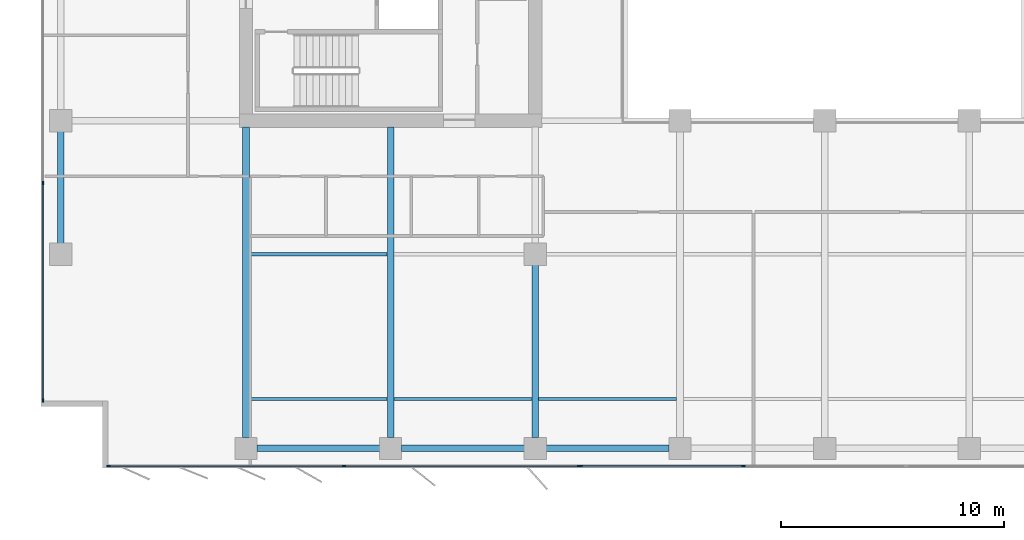
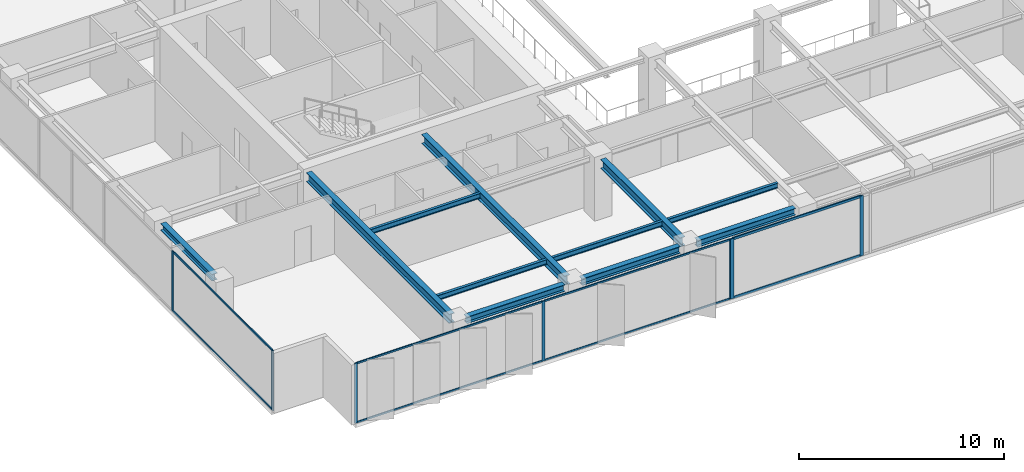
# One storey, part 2 of 22: 15 members, 11 beams, 3 elements without a shape of their own.
"""IFC4 building model written with IfcOpenShell, lengths in metres."""

from ifc_helpers import new_model, si_unit, direction, frame, origin, origin_2d, place, context, subcontext, project, spatial, rectangle, i_section, extrude, material, layer, layer_set, material_profile, profile_set, type_object, element, aggregate, save


model = new_model("IFC4")

# Units and contexts
model_context = context("Model", 3, precision=1e-05, world=origin(), true_north=direction((0.0, 1.0)))
body_context = subcontext(model_context, "Body", "Model", "MODEL_VIEW")
ifc_project = project(units=[si_unit("LENGTHUNIT", "METRE"), si_unit("AREAUNIT", "SQUARE_METRE"), si_unit("VOLUMEUNIT", "CUBIC_METRE"), si_unit("PLANEANGLEUNIT", "RADIAN"), si_unit("MASSUNIT", "GRAM", prefix="KILO")], contexts=[model_context])

# Site, building, storey
site_placement = place(None, origin())
site = spatial("IfcSite", under=ifc_project, at=site_placement, CompositionType="ELEMENT")
building_placement = place(site_placement, origin())
building = spatial("IfcBuilding", under=site, at=building_placement, Name="Putna Gate Headquarters", CompositionType="ELEMENT")
storey_placement = place(building_placement, frame((0.0, 0.0, 151.800048828125)))
storey = spatial("IfcBuildingStorey", under=building, at=storey_placement, Name="L37", CompositionType="ELEMENT", Elevation=151.800048828125)

# Beams
ifc_material_1 = material(Name="Steel S355J2", Category="steel")
ifc_material_profile_1 = material_profile(ifc_material_1, i_section(OverallWidth=0.300048828125, OverallDepth=0.550048828125, WebThickness=0.014892578125, FlangeThickness=0.029052734375, at=origin_2d()), Name="Steel S355J2")
ifc_profile_set_1 = profile_set([ifc_material_profile_1], Name="Steel S355J2")
beam_type_1 = type_object("IfcBeamType", Name="BM-GIRD-Z3-HEB550", PredefinedType="USERDEFINED", material=ifc_profile_set_1)
for number, where, z_axis, x_axis, name in (
    (1, (13.0, 4.76806640625, 3.296875), (0.0, 1.0, 0.0), (-1.0, 0.0, 0.0), "L37 South Primary Girder X13"),
    (2, (19.5, 4.76806640625, 3.296875), (0.0, 1.0, 0.0), (-1.0, 0.0, 0.0), "L37 South Primary Girder X19"),
):
    element("IfcBeam", number, at=place(storey_placement, frame(where, z_axis=z_axis, x_axis=x_axis)), inside=storey, type_object=beam_type_1, Name=name, ObjectType="GIRDER", PredefinedType="USERDEFINED", context=body_context, shape_type="SweptSolid", body=[
        extrude(i_section(OverallWidth=0.300048828125, OverallDepth=0.550048828125, WebThickness=0.014892578125, FlangeThickness=0.029052734375, at=origin_2d()), origin(), (0.0, 0.0, 1.0), 13.947021484375),
    ])
beam_1_placement = place(storey_placement, frame((26.0, 4.76806640625, 3.296875), z_axis=(0.0, 1.0, 0.0), x_axis=(-1.0, 0.0, 0.0)))
element("IfcBeam", 3, at=beam_1_placement, inside=storey, type_object=beam_type_1, Name="L37 South Primary Girder X26-1", ObjectType="GIRDER", PredefinedType="USERDEFINED", context=body_context, shape_type="SweptSolid", body=[
    extrude(i_section(OverallWidth=0.300048828125, OverallDepth=0.550048828125, WebThickness=0.014892578125, FlangeThickness=0.029052734375, at=origin_2d()), origin(), (0.0, 0.0, 1.0), 7.743896484375),
])
ifc_material_profile_2 = material_profile(ifc_material_1, i_section(OverallWidth=0.14990234375, OverallDepth=0.300048828125, WebThickness=0.007080078125, FlangeThickness=0.0107421875, at=origin_2d()), Name="Steel S355J2")
ifc_profile_set_2 = profile_set([ifc_material_profile_2], Name="Steel S355J2")
beam_type_2 = type_object("IfcBeamType", Name="BM-SEC-Z3-IPE300", PredefinedType="JOIST", material=ifc_profile_set_2)
for number, where, z_axis, x_axis, name in (
    (4, (13.154052734375, 6.5, 3.421875), (1.0, 0.0, 0.0), (0.0, 1.0, 0.0), "L37 South Secondary Beam 1"),
    (5, (13.154052734375, 13.0, 3.421875), (1.0, 0.0, 0.0), (0.0, 1.0, 0.0), "L37 South Secondary Beam 1"),
    (6, (19.654052734375, 6.5, 3.421875), (1.0, 0.0, 0.0), (0.0, 1.0, 0.0), "L37 South Secondary Beam 2"),
    (7, (26.154052734375, 6.5, 3.421875), (1.0, 0.0, 0.0), (0.0, 1.0, 0.0), "L37 South Secondary Beam 3"),
):
    element("IfcBeam", number, at=place(storey_placement, frame(where, z_axis=z_axis, x_axis=x_axis)), inside=storey, type_object=beam_type_2, Name=name, PredefinedType="JOIST", context=body_context, shape_type="SweptSolid", body=[
        extrude(i_section(OverallWidth=0.14990234375, OverallDepth=0.300048828125, WebThickness=0.007080078125, FlangeThickness=0.0107421875, at=origin_2d()), origin(), (0.0, 0.0, 1.0), 6.19189453125),
    ])
ifc_material_profile_3 = material_profile(ifc_material_1, i_section(OverallWidth=0.300048828125, OverallDepth=0.39990234375, WebThickness=0.013427734375, FlangeThickness=0.02392578125, at=origin_2d()), Name="Steel S355J2")
ifc_profile_set_3 = profile_set([ifc_material_profile_3], Name="Steel S355J2")
beam_type_3 = type_object("IfcBeamType", Name="BM-SPAN-Z3-HEB400", PredefinedType="SPANDREL", material=ifc_profile_set_3)
for number, where, z_axis, x_axis, name in (
    (8, (13.488037109375, 4.280029296875, 3.3720703125), (1.0, 0.0, 0.0), (0.0, 1.0, 0.0), "L37 S Perimeter Spandrel 1"),
    (9, (19.988037109375, 4.280029296875, 3.3720703125), (1.0, 0.0, 0.0), (0.0, 1.0, 0.0), "L37 S Perimeter Spandrel 2"),
    (10, (26.488037109375, 4.280029296875, 3.3720703125), (1.0, 0.0, 0.0), (0.0, 1.0, 0.0), "L37 S Perimeter Spandrel 3"),
):
    element("IfcBeam", number, at=place(storey_placement, frame(where, z_axis=z_axis, x_axis=x_axis)), inside=storey, type_object=beam_type_3, Name=name, PredefinedType="SPANDREL", context=body_context, shape_type="SweptSolid", body=[
        extrude(i_section(OverallWidth=0.300048828125, OverallDepth=0.39990234375, WebThickness=0.013427734375, FlangeThickness=0.02392578125, at=origin_2d()), origin(), (0.0, 0.0, 1.0), 5.52392578125),
    ])
beam_2_placement = place(storey_placement, frame((4.679931640625, 13.488037109375, 3.3720703125), z_axis=(0.0, 1.0, 0.0), x_axis=(-1.0, 0.0, 0.0)))
element("IfcBeam", 11, at=beam_2_placement, inside=storey, type_object=beam_type_3, Name="L37 W End Spandrel 1", PredefinedType="SPANDREL", context=body_context, shape_type="SweptSolid", body=[
    extrude(i_section(OverallWidth=0.300048828125, OverallDepth=0.39990234375, WebThickness=0.013427734375, FlangeThickness=0.02392578125, at=origin_2d()), origin(), (0.0, 0.0, 1.0), 5.02392578125),
])

# Curtain wall, members
ifc_material_2 = material(Name="Anodised bronze aluminium curtain wall", Category="aluminium")
ifc_layer_1 = layer(ifc_material_2, 0.159912109375)
ifc_layer_set_1 = layer_set([ifc_layer_1], Name="Anodised bronze aluminium curtain wall")
curtain_wall_type_1 = type_object("IfcCurtainWallType", Name="CW-SYS-Z3", PredefinedType="USERDEFINED", material=ifc_layer_set_1)
curtain_wall_1_placement = place(storey_placement, origin())
curtain_wall_1 = element("IfcCurtainWall", 12, at=curtain_wall_1_placement, inside=storey, type_object=curtain_wall_type_1, Name="L37 South West Curtain Wall", ObjectType="STICK CURTAIN WALL", PredefinedType="USERDEFINED")
ifc_material_3 = material(Name="Anodised bronze aluminium EN AW-6060", Category="aluminium")
ifc_material_profile_4 = material_profile(ifc_material_3, rectangle(XDim=0.06494140625, YDim=0.159912109375, at=origin_2d()), Name="Anodised bronze aluminium EN AW-6060")
ifc_profile_set_4 = profile_set([ifc_material_profile_4], Name="Anodised bronze aluminium EN AW-6060")
member_type_1 = type_object("IfcMemberType", Name="MULL-CWM-3", PredefinedType="MULLION", material=ifc_profile_set_4)
member_1_placement = place(storey_placement, frame((6.83251953125, 3.47998046875, 0.0), z_axis=(0.0, 0.0, 1.0), x_axis=(0.0, 1.0, 0.0)))
member_1 = element("IfcMember", 13, at=member_1_placement, type_object=member_type_1, Name="CWS-3 mullion 1", PredefinedType="MULLION", context=body_context, shape_type="SweptSolid", body=[
    extrude(rectangle(XDim=0.06494140625, YDim=0.159912109375, at=origin_2d()), origin(), (0.0, 0.0, 1.0), 3.572021484375),
])
member_2_placement = place(storey_placement, frame((17.39990234375, 3.47998046875, 0.0), z_axis=(0.0, 0.0, 1.0), x_axis=(0.0, 1.0, 0.0)))
member_2 = element("IfcMember", 14, at=member_2_placement, type_object=member_type_1, Name="CWS-3 mullion 2", PredefinedType="MULLION", context=body_context, shape_type="SweptSolid", body=[
    extrude(rectangle(XDim=0.06494140625, YDim=0.159912109375, at=origin_2d()), origin(), (0.0, 0.0, 1.0), 3.572021484375),
])
member_3_placement = place(storey_placement, frame((27.967529296875, 3.47998046875, 0.0), z_axis=(0.0, 0.0, 1.0), x_axis=(0.0, 1.0, 0.0)))
member_3 = element("IfcMember", 15, at=member_3_placement, type_object=member_type_1, Name="CWS-3 mullion 3", PredefinedType="MULLION", context=body_context, shape_type="SweptSolid", body=[
    extrude(rectangle(XDim=0.06494140625, YDim=0.159912109375, at=origin_2d()), origin(), (0.0, 0.0, 1.0), 3.572021484375),
])

curtain_wall_2_placement = place(storey_placement, origin())
curtain_wall_2 = element("IfcCurtainWall", 16, at=curtain_wall_2_placement, inside=storey, type_object=curtain_wall_type_1, Name="L37 West Curtain Wall", ObjectType="STICK CURTAIN WALL", PredefinedType="USERDEFINED")
member_4_placement = place(storey_placement, frame((3.8798828125, 6.4326171875, 0.0), z_axis=(0.0, 0.0, 1.0), x_axis=(-1.0, 0.0, 0.0)))
member_4 = element("IfcMember", 17, at=member_4_placement, type_object=member_type_1, Name="CWS-3 mullion 1", PredefinedType="MULLION", context=body_context, shape_type="SweptSolid", body=[
    extrude(rectangle(XDim=0.06494140625, YDim=0.159912109375, at=origin_2d()), origin(), (0.0, 0.0, 1.0), 3.572021484375),
])
member_5_placement = place(storey_placement, frame((3.8798828125, 16.199951171875, 0.0), z_axis=(0.0, 0.0, 1.0), x_axis=(-1.0, 0.0, 0.0)))
member_5 = element("IfcMember", 18, at=member_5_placement, type_object=member_type_1, Name="CWS-3 mullion 2", PredefinedType="MULLION", context=body_context, shape_type="SweptSolid", body=[
    extrude(rectangle(XDim=0.06494140625, YDim=0.159912109375, at=origin_2d()), origin(), (0.0, 0.0, 1.0), 3.572021484375),
])

ifc_layer_2 = layer(ifc_material_2, 0.179931640625)
ifc_layer_set_2 = layer_set([ifc_layer_2], Name="Anodised bronze aluminium curtain wall")
curtain_wall_type_2 = type_object("IfcCurtainWallType", Name="CW-SYS-ATR", PredefinedType="USERDEFINED", material=ifc_layer_set_2)
curtain_wall_3_placement = place(storey_placement, origin())
curtain_wall_3 = element("IfcCurtainWall", 19, at=curtain_wall_3_placement, inside=storey, type_object=curtain_wall_type_2, Name="L37 South Atrium Clear Glazing", ObjectType="ATRIUM GLAZING", PredefinedType="USERDEFINED")
ifc_material_profile_5 = material_profile(ifc_material_3, rectangle(XDim=0.070068359375, YDim=0.179931640625, at=origin_2d()), Name="Anodised bronze aluminium EN AW-6060")
ifc_profile_set_5 = profile_set([ifc_material_profile_5], Name="Anodised bronze aluminium EN AW-6060")
member_type_2 = type_object("IfcMemberType", Name="MULL-CWM-AT", PredefinedType="MULLION", material=ifc_profile_set_5)
member_6_placement = place(storey_placement, frame((28.034912109375, 3.47998046875, 0.0), z_axis=(0.0, 0.0, 1.0), x_axis=(0.0, 1.0, 0.0)))
member_6 = element("IfcMember", 20, at=member_6_placement, type_object=member_type_2, Name="CWS-AT mullion 1", PredefinedType="MULLION", context=body_context, shape_type="SweptSolid", body=[
    extrude(rectangle(XDim=0.070068359375, YDim=0.179931640625, at=origin_2d()), origin(), (0.0, 0.0, 1.0), 3.572021484375),
])
member_7_placement = place(storey_placement, frame((35.333251953125, 3.47998046875, 0.0), z_axis=(0.0, 0.0, 1.0), x_axis=(0.0, 1.0, 0.0)))
member_7 = element("IfcMember", 21, at=member_7_placement, type_object=member_type_2, Name="CWS-AT mullion 2", PredefinedType="MULLION", context=body_context, shape_type="SweptSolid", body=[
    extrude(rectangle(XDim=0.070068359375, YDim=0.179931640625, at=origin_2d()), origin(), (0.0, 0.0, 1.0), 3.572021484375),
])

# Member
ifc_material_profile_6 = material_profile(ifc_material_3, rectangle(XDim=0.06005859375, YDim=0.10009765625, at=origin_2d()), Name="Anodised bronze aluminium EN AW-6060")
ifc_profile_set_6 = profile_set([ifc_material_profile_6], Name="Anodised bronze aluminium EN AW-6060")
member_type_3 = type_object("IfcMemberType", Name="TRAN-CWT-3", PredefinedType="USERDEFINED", material=ifc_profile_set_6)
member_8_placement = place(storey_placement, frame((6.864990234375, 3.47998046875, 0.030029296875), z_axis=(1.0, 0.0, 0.0), x_axis=(0.0, 1.0, 0.0)))
member_8 = element("IfcMember", 22, at=member_8_placement, type_object=member_type_3, Name="CWS-3 transom 1.1", ObjectType="TRANSOM", PredefinedType="USERDEFINED", context=body_context, shape_type="SweptSolid", body=[
    extrude(rectangle(XDim=0.06005859375, YDim=0.10009765625, at=origin_2d()), origin(), (0.0, 0.0, 1.0), 10.50244140625),
])

member_9_placement = place(storey_placement, frame((6.864990234375, 3.47998046875, 3.5419921875), z_axis=(1.0, 0.0, 0.0), x_axis=(0.0, 1.0, 0.0)))
member_9 = element("IfcMember", 23, at=member_9_placement, type_object=member_type_3, Name="CWS-3 transom 1.2", ObjectType="TRANSOM", PredefinedType="USERDEFINED", context=body_context, shape_type="SweptSolid", body=[
    extrude(rectangle(XDim=0.06005859375, YDim=0.10009765625, at=origin_2d()), origin(), (0.0, 0.0, 1.0), 10.50244140625),
])

member_10_placement = place(storey_placement, frame((17.4326171875, 3.47998046875, 0.030029296875), z_axis=(1.0, 0.0, 0.0), x_axis=(0.0, 1.0, 0.0)))
member_10 = element("IfcMember", 24, at=member_10_placement, type_object=member_type_3, Name="CWS-3 transom 2.1", ObjectType="TRANSOM", PredefinedType="USERDEFINED", context=body_context, shape_type="SweptSolid", body=[
    extrude(rectangle(XDim=0.06005859375, YDim=0.10009765625, at=origin_2d()), origin(), (0.0, 0.0, 1.0), 10.50244140625),
])

member_11_placement = place(storey_placement, frame((17.4326171875, 3.47998046875, 3.5419921875), z_axis=(1.0, 0.0, 0.0), x_axis=(0.0, 1.0, 0.0)))
member_11 = element("IfcMember", 25, at=member_11_placement, type_object=member_type_3, Name="CWS-3 transom 2.2", ObjectType="TRANSOM", PredefinedType="USERDEFINED", context=body_context, shape_type="SweptSolid", body=[
    extrude(rectangle(XDim=0.06005859375, YDim=0.10009765625, at=origin_2d()), origin(), (0.0, 0.0, 1.0), 10.50244140625),
])

aggregate(curtain_wall_1, [member_1, member_2, member_3, member_8, member_9, member_10, member_11])

member_12_placement = place(storey_placement, frame((3.8798828125, 6.465087890625, 0.030029296875), z_axis=(0.0, 1.0, 0.0), x_axis=(-1.0, 0.0, 0.0)))
member_12 = element("IfcMember", 26, at=member_12_placement, type_object=member_type_3, Name="CWS-3 transom 1.1", ObjectType="TRANSOM", PredefinedType="USERDEFINED", context=body_context, shape_type="SweptSolid", body=[
    extrude(rectangle(XDim=0.06005859375, YDim=0.10009765625, at=origin_2d()), origin(), (0.0, 0.0, 1.0), 9.702392578125),
])

member_13_placement = place(storey_placement, frame((3.8798828125, 6.465087890625, 3.5419921875), z_axis=(0.0, 1.0, 0.0), x_axis=(-1.0, 0.0, 0.0)))
member_13 = element("IfcMember", 27, at=member_13_placement, type_object=member_type_3, Name="CWS-3 transom 1.2", ObjectType="TRANSOM", PredefinedType="USERDEFINED", context=body_context, shape_type="SweptSolid", body=[
    extrude(rectangle(XDim=0.06005859375, YDim=0.10009765625, at=origin_2d()), origin(), (0.0, 0.0, 1.0), 9.702392578125),
])

aggregate(curtain_wall_2, [member_4, member_5, member_12, member_13])

ifc_material_profile_7 = material_profile(ifc_material_3, rectangle(XDim=0.070068359375, YDim=0.139892578125, at=origin_2d()), Name="Anodised bronze aluminium EN AW-6060")
ifc_profile_set_7 = profile_set([ifc_material_profile_7], Name="Anodised bronze aluminium EN AW-6060")
member_type_4 = type_object("IfcMemberType", Name="TRAN-CWT-AT", PredefinedType="USERDEFINED", material=ifc_profile_set_7)
member_14_placement = place(storey_placement, frame((28.070068359375, 3.47998046875, 0.034912109375), z_axis=(1.0, 0.0, 0.0), x_axis=(0.0, 1.0, 0.0)))
member_14 = element("IfcMember", 28, at=member_14_placement, type_object=member_type_4, Name="CWS-AT transom 1.1", ObjectType="TRANSOM", PredefinedType="USERDEFINED", context=body_context, shape_type="SweptSolid", body=[
    extrude(rectangle(XDim=0.070068359375, YDim=0.139892578125, at=origin_2d()), origin(), (0.0, 0.0, 1.0), 7.228271484375),
])

member_15_placement = place(storey_placement, frame((28.070068359375, 3.47998046875, 3.536865234375), z_axis=(1.0, 0.0, 0.0), x_axis=(0.0, 1.0, 0.0)))
member_15 = element("IfcMember", 29, at=member_15_placement, type_object=member_type_4, Name="CWS-AT transom 1.2", ObjectType="TRANSOM", PredefinedType="USERDEFINED", context=body_context, shape_type="SweptSolid", body=[
    extrude(rectangle(XDim=0.070068359375, YDim=0.139892578125, at=origin_2d()), origin(), (0.0, 0.0, 1.0), 7.228271484375),
])

aggregate(curtain_wall_3, [member_6, member_7, member_14, member_15])

save(model, "model.ifc")
